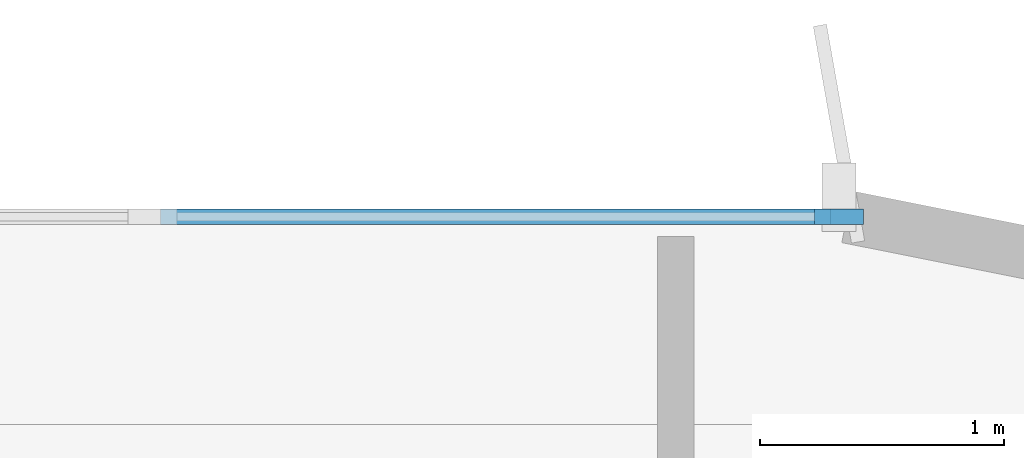
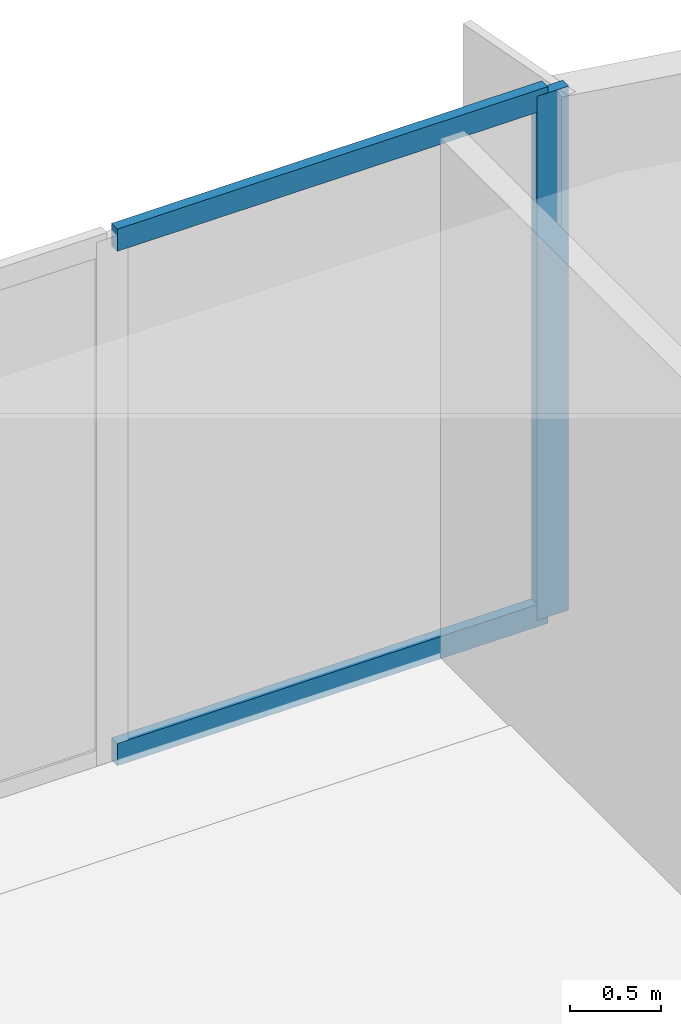
# One storey, part 8 of 18: 3 members, 1 element without a shape of its own.
"""IFC4 building model written with IfcOpenShell, lengths in metres."""

import ifcopenshell
import ifcopenshell.guid

model = None  # the IFC model being written
_history = None  # IfcOwnerHistory: only IFC2X3 demands one
_inside = {}  # id of a spatial element -> (the spatial element, [elements in it])
_under = {}  # id of a project, library or spatial element -> (it, [spatial elements below it])
_declared = {}  # id of a project -> (the project, [libraries it declares])
_typed = {}  # id of a type object -> (the type object, [elements of that type])
_made_of = {}  # id of a material, layer set ... -> (it, [elements and type objects made of it])


def new_model(schema):
    """Start an empty IFC model of exactly this schema.

    Asked for "IFC4X3", IfcOpenShell would pick the latest addendum, in which some entities
    have other attributes; the version numbers below select the first issue.
    IFC2X3 requires an IfcOwnerHistory on every rooted entity: one is made here for all.
    """
    global model, _history
    if schema == "IFC4X3":
        model = ifcopenshell.file(schema_version=(4, 3, 0, 0))
    else:
        model = ifcopenshell.file(schema=schema)
    _inside.clear()
    _under.clear()
    _declared.clear()
    _typed.clear()
    _made_of.clear()
    _history = None
    if model.schema == "IFC2X3":
        org = make("IfcOrganization", Name="unknown")
        user = make(
            "IfcPersonAndOrganization",
            ThePerson=make("IfcPerson", FamilyName="unknown"),
            TheOrganization=org,
        )
        app = make(
            "IfcApplication",
            ApplicationDeveloper=org,
            Version="unknown",
            ApplicationFullName="unknown",
            ApplicationIdentifier="unknown",
        )
        _history = make(
            "IfcOwnerHistory",
            OwningUser=user,
            OwningApplication=app,
            ChangeAction="ADDED",
            CreationDate=0,
        )
    return model


def make(cls, **values):
    """One entity of the class cls with the attributes given. An attribute that is None is left unset."""
    return model.create_entity(
        cls, **{name: value for name, value in values.items() if value is not None}
    )


def rooted(cls, **values):
    """An entity with a GlobalId (a new one), such as an element, a storey or a relation."""
    return make(cls, GlobalId=ifcopenshell.guid.new(), OwnerHistory=_history, **values)


def si_unit(unit_type, name, prefix=None):
    """IfcSIUnit, for example si_unit("LENGTHUNIT", "METRE", prefix="MILLI")."""
    return make("IfcSIUnit", UnitType=unit_type, Prefix=prefix, Name=name)


def assignment(units):
    """IfcUnitAssignment: the units of a project."""
    return None if units is None else make("IfcUnitAssignment", Units=units)


def point(xyz):
    """IfcCartesianPoint."""
    return None if xyz is None else make("IfcCartesianPoint", Coordinates=xyz)


def direction(xyz):
    """IfcDirection."""
    return None if xyz is None else make("IfcDirection", DirectionRatios=xyz)


def frame(location, z_axis=None, x_axis=None):
    """IfcAxis2Placement3D, a coordinate frame: its origin and axes. An axis left out is left unset."""
    return make(
        "IfcAxis2Placement3D",
        Location=point(location),
        Axis=direction(z_axis),
        RefDirection=direction(x_axis),
    )


def frame_2d(location, x_axis=None):
    """IfcAxis2Placement2D, a coordinate frame in the plane: its origin and x axis."""
    return make(
        "IfcAxis2Placement2D", Location=point(location), RefDirection=direction(x_axis)
    )


def origin():
    """The frame at (0, 0, 0) with its axes left unset."""
    return frame((0.0, 0.0, 0.0))


def origin_2d():
    """The frame at (0, 0) in the plane with its x axis left unset."""
    return frame_2d((0.0, 0.0))


def place(relative_to, where):
    """IfcLocalPlacement: puts the frame where relative to a parent placement (None: the world)."""
    return make(
        "IfcLocalPlacement", PlacementRelTo=relative_to, RelativePlacement=where
    )


def context(
    kind, dimensions, precision=None, world=None, true_north=None, identifier=None
):
    """IfcGeometricRepresentationContext, for example the 3D "Model" context."""
    return make(
        "IfcGeometricRepresentationContext",
        ContextIdentifier=identifier,
        ContextType=kind,
        CoordinateSpaceDimension=dimensions,
        Precision=precision,
        WorldCoordinateSystem=world,
        TrueNorth=true_north,
    )


def subcontext(parent, identifier, kind, view, scale=None):
    """IfcGeometricRepresentationSubContext, for example "Body" below "Model"."""
    return make(
        "IfcGeometricRepresentationSubContext",
        ContextIdentifier=identifier,
        ContextType=kind,
        ParentContext=parent,
        TargetScale=scale,
        TargetView=view,
    )


def project(units=None, contexts=None):
    """IfcProject with its units and contexts."""
    return rooted(
        "IfcProject",
        Name="project",
        RepresentationContexts=contexts,
        UnitsInContext=assignment(units),
    )


def spatial(cls, under=None, at=None, **own):
    """A site, building, storey or space (cls), placed at a placement, below another one or the project."""
    s = rooted(cls, ObjectPlacement=at, **own)
    if under is not None:
        _under.setdefault(under.id(), (under, []))[1].append(s)
    return s


def profile(cls, at=None, kind="AREA", **sizes):
    """A parametric profile (cls). Its sizes go by their IFC names, for example OverallWidth=200.0."""
    return make(cls, ProfileType=kind, Position=at, **sizes)


def rectangle(**sizes):
    """IfcRectangleProfileDef."""
    return profile("IfcRectangleProfileDef", **sizes)


def extrude(swept, where, along, depth):
    """IfcExtrudedAreaSolid: the profile swept, set in the frame where, extruded along a direction by depth."""
    return make(
        "IfcExtrudedAreaSolid",
        SweptArea=swept,
        Position=where,
        ExtrudedDirection=direction(along),
        Depth=depth,
    )


def shape(context_of_items, identifier, shape_type, items):
    """IfcShapeRepresentation: the items that make up one representation, for example the "Body"."""
    return make(
        "IfcShapeRepresentation",
        ContextOfItems=context_of_items,
        RepresentationIdentifier=identifier,
        RepresentationType=shape_type,
        Items=items,
    )


def source(mapping_origin, context_of_items, identifier, shape_type, items):
    """IfcRepresentationMap: a shape defined once, which mapped items show again and again."""
    return make(
        "IfcRepresentationMap",
        MappingOrigin=mapping_origin,
        MappedRepresentation=shape(context_of_items, identifier, shape_type, items),
    )


def transform(
    local_origin,
    x_axis=None,
    y_axis=None,
    z_axis=None,
    scale=None,
    scale2=None,
    scale3=None,
    uniform=True,
):
    """IfcCartesianTransformationOperator3D, or its non-uniform kind. x_axis, y_axis, z_axis: its Axis1, 2, 3."""
    if uniform:
        return make(
            "IfcCartesianTransformationOperator3D",
            Axis1=direction(x_axis),
            Axis2=direction(y_axis),
            LocalOrigin=point(local_origin),
            Scale=scale,
            Axis3=direction(z_axis),
        )
    return make(
        "IfcCartesianTransformationOperator3DnonUniform",
        Axis1=direction(x_axis),
        Axis2=direction(y_axis),
        LocalOrigin=point(local_origin),
        Scale=scale,
        Axis3=direction(z_axis),
        Scale2=scale2,
        Scale3=scale3,
    )


def mapped(mapping_source, mapping_target):
    """IfcMappedItem: shows the shape of a source again, moved by a transform."""
    return make(
        "IfcMappedItem", MappingSource=mapping_source, MappingTarget=mapping_target
    )


def material(Name=None, Category=None):
    """IfcMaterial."""
    return make("IfcMaterial", Name=Name, Category=Category)


def layer(
    of_material, thickness, ventilated=None, Name=None, Category=None, Priority=None
):
    """IfcMaterialLayer: one layer of a wall or slab, of a material (None: an air gap)."""
    return make(
        "IfcMaterialLayer",
        Material=of_material,
        LayerThickness=thickness,
        IsVentilated=ventilated,
        Name=Name,
        Category=Category,
        Priority=Priority,
    )


def layer_set(layers, Name=None):
    """IfcMaterialLayerSet."""
    return make("IfcMaterialLayerSet", MaterialLayers=layers, LayerSetName=Name)


def material_profile(
    of_material, cross_section, Name=None, Category=None, Priority=None
):
    """IfcMaterialProfile: a cross section and its material."""
    return make(
        "IfcMaterialProfile",
        Name=Name,
        Material=of_material,
        Profile=cross_section,
        Priority=Priority,
        Category=Category,
    )


def profile_set(profiles, Name=None, composite=None):
    """IfcMaterialProfileSet."""
    return make(
        "IfcMaterialProfileSet",
        Name=Name,
        MaterialProfiles=profiles,
        CompositeProfile=composite,
    )


def made_of(thing, what):
    """Note that an element or type object is made of a material, layer set ...; save() writes the relation."""
    if what is not None:
        _made_of.setdefault(what.id(), (what, []))[1].append(thing)
    return thing


def type_object(cls, material=None, **own):
    """A type object (cls), such as IfcWallType, which elements share."""
    return made_of(rooted(cls, **own), material)


def element(
    cls,
    number,
    at=None,
    inside=None,
    cuts=None,
    type_object=None,
    material=None,
    context=None,
    identifier="Body",
    shape_type=None,
    held_by="IfcProductDefinitionShape",
    body=None,
    shapes=None,
    **own,
):
    """One element of the class cls, such as IfcWall. Its Tag is "e" and its number.

    at: its placement. inside: the storey or other place that contains it. cuts: it is an
    opening in that element (IfcRelVoidsElement). A single representation is given by context,
    identifier, shape_type and body (its items); several are given by shapes. held_by: the class
    of the entity that holds the representations. save() writes the other relations.
    """
    e = rooted(cls, Tag="e%d" % number, ObjectPlacement=at, **own)
    if body is not None:
        shapes = [shape(context, identifier, shape_type, body)]
    if shapes is not None:
        e.Representation = make(held_by, Representations=shapes)
    if inside is not None:
        _inside.setdefault(inside.id(), (inside, []))[1].append(e)
    if cuts is not None:
        rooted(
            "IfcRelVoidsElement", RelatingBuildingElement=cuts, RelatedOpeningElement=e
        )
    if type_object is not None:
        _typed.setdefault(type_object.id(), (type_object, []))[1].append(e)
    return made_of(e, material)


def aggregate(whole, parts):
    """IfcRelAggregates: a whole, such as a stair, and the parts it consists of."""
    return rooted("IfcRelAggregates", RelatingObject=whole, RelatedObjects=parts)


def save(model, path):
    """Write the relations noted so far, then the file.

    IfcRelAggregates (storeys below a building ...), IfcRelContainedInSpatialStructure (elements
    in a storey), IfcRelDefinesByType, IfcRelAssociatesMaterial and IfcRelDeclares: one each for
    every whole, place, type object, material and project.
    """
    for whole, parts in _under.values():
        aggregate(whole, parts)
    for where, things in _inside.values():
        rooted(
            "IfcRelContainedInSpatialStructure",
            RelatedElements=things,
            RelatingStructure=where,
        )
    for kind, things in _typed.values():
        rooted("IfcRelDefinesByType", RelatedObjects=things, RelatingType=kind)
    for what, things in _made_of.values():
        rooted("IfcRelAssociatesMaterial", RelatedObjects=things, RelatingMaterial=what)
    for by, libraries in _declared.values():
        rooted("IfcRelDeclares", RelatingContext=by, RelatedDefinitions=libraries)
    model.write(path)


model = new_model("IFC4")

# Units and contexts
model_context = context("Model", 3, precision=1e-05, world=origin(), true_north=direction((0.0, 1.0)))
body_context = subcontext(model_context, "Body", "Model", "MODEL_VIEW")
ifc_project = project(units=[si_unit("LENGTHUNIT", "METRE"), si_unit("AREAUNIT", "SQUARE_METRE"), si_unit("VOLUMEUNIT", "CUBIC_METRE"), si_unit("PLANEANGLEUNIT", "RADIAN"), si_unit("MASSUNIT", "GRAM", prefix="KILO")], contexts=[model_context])

# Site, building, storey
site_placement = place(None, origin())
site = spatial("IfcSite", under=ifc_project, at=site_placement, CompositionType="ELEMENT")
building_placement = place(site_placement, origin())
building = spatial("IfcBuilding", under=site, at=building_placement, Name="Brelvock Crest Care Tower", CompositionType="ELEMENT")
storey_placement = place(building_placement, frame((0.0, 0.0, 38.340087890625)))
storey = spatial("IfcBuildingStorey", under=building, at=storey_placement, Name="L09", CompositionType="ELEMENT", Elevation=38.340087890625)

# Curtain wall, members
ifc_material_1 = material(Name="Dark Glass Double Glazed Low-E", Category="glass")
ifc_layer = layer(ifc_material_1, 0.195068359375, Name="CWS-2")
ifc_layer_set = layer_set([ifc_layer], Name="Dark Glass Double Glazed Low-E")
curtain_wall_type = type_object("IfcCurtainWallType", Name="CWS-2", PredefinedType="NOTDEFINED", material=ifc_layer_set)
curtain_wall_placement = place(storey_placement, origin())
curtain_wall = element("IfcCurtainWall", 1, at=curtain_wall_placement, inside=storey, type_object=curtain_wall_type, Name="L09 Curtain Wall E30", PredefinedType="NOTDEFINED")
ifc_material_2 = material(Name="Aluminium 6063-T6", Category="aluminium")
ifc_material_profile_1 = material_profile(ifc_material_2, rectangle(XDim=0.06494140625, YDim=0.199951171875, at=origin_2d()), Name="ALU65x200")
ifc_profile_set_1 = profile_set([ifc_material_profile_1], Name="Aluminium 6063-T6")
member_type_1 = type_object("IfcMemberType", Name="CWM-1", PredefinedType="MULLION", material=ifc_profile_set_1)
shared_shape_1 = source(origin(), body_context, "Body", "SweptSolid", [
    extrude(rectangle(XDim=0.06494140625, YDim=0.199951171875, at=origin_2d()), origin(), (0.0, 0.0, 1.0), 3.530029296875),
])
member_1_placement = place(storey_placement, frame((56.767578125, 36.0, 0.0), z_axis=(0.0, 0.0, 1.0), x_axis=(0.0, 1.0, 0.0)))
member_1 = element("IfcMember", 2, at=member_1_placement, type_object=member_type_1, Name="CW-2 mullion 6", PredefinedType="MULLION", context=body_context, shape_type="MappedRepresentation", body=[
    mapped(shared_shape_1, transform((0.0, 0.0, 0.0), x_axis=(1.0, 0.0, 0.0), y_axis=(0.0, 1.0, 0.0), z_axis=(0.0, 0.0, 1.0), scale=1.0)),
])
ifc_material_profile_2 = material_profile(ifc_material_2, rectangle(XDim=0.06494140625, YDim=0.14990234375, at=origin_2d()), Name="ALU65x150")
ifc_profile_set_2 = profile_set([ifc_material_profile_2], Name="Aluminium 6063-T6")
member_type_2 = type_object("IfcMemberType", Name="CWT-1", PredefinedType="USERDEFINED", material=ifc_profile_set_2)
shared_shape_2 = source(origin(), body_context, "Body", "SweptSolid", [
    extrude(rectangle(XDim=0.06494140625, YDim=0.14990234375, at=origin_2d()), origin(), (0.0, 0.0, 1.0), 2.74267578125),
])
member_2_placement = place(storey_placement, frame((53.992431640625, 36.0, 0.032470703125), z_axis=(1.0, 0.0, 0.0), x_axis=(0.0, 1.0, 0.0)))
member_2 = element("IfcMember", 3, at=member_2_placement, type_object=member_type_2, Name="CW-2 transom 5.1", ObjectType="TRANSOM", PredefinedType="USERDEFINED", context=body_context, shape_type="MappedRepresentation", body=[
    mapped(shared_shape_2, transform((0.0, 0.0, 0.0), x_axis=(1.0, 0.0, 0.0), y_axis=(0.0, 1.0, 0.0), z_axis=(0.0, 0.0, 1.0), scale=1.0)),
])
member_3_placement = place(storey_placement, frame((53.992431640625, 36.0, 3.497314453125), z_axis=(1.0, 0.0, 0.0), x_axis=(0.0, 1.0, 0.0)))
member_3 = element("IfcMember", 4, at=member_3_placement, type_object=member_type_2, Name="CW-2 transom 5.2", ObjectType="TRANSOM", PredefinedType="USERDEFINED", context=body_context, shape_type="MappedRepresentation", body=[
    mapped(shared_shape_2, transform((0.0, 0.0, 0.0), x_axis=(1.0, 0.0, 0.0), y_axis=(0.0, 1.0, 0.0), z_axis=(0.0, 0.0, 1.0), scale=1.0)),
])
aggregate(curtain_wall, [member_1, member_2, member_3])

save(model, "model.ifc")
